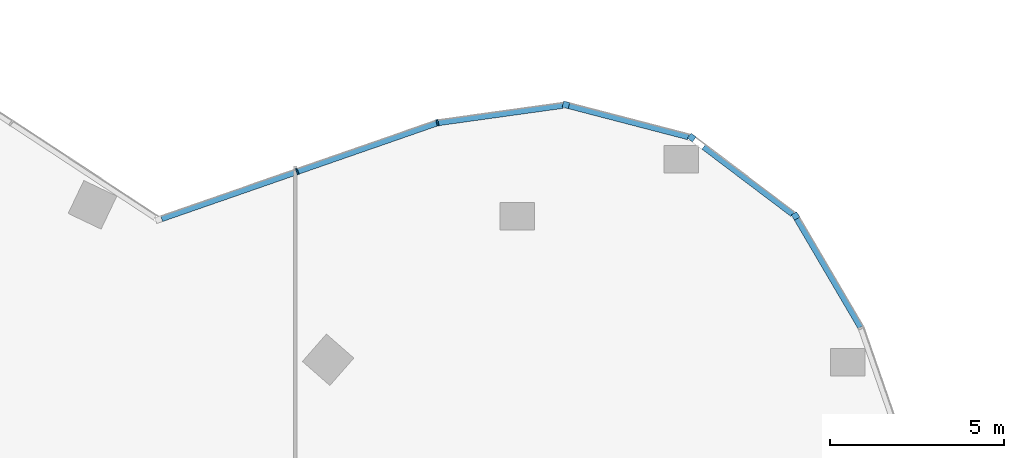
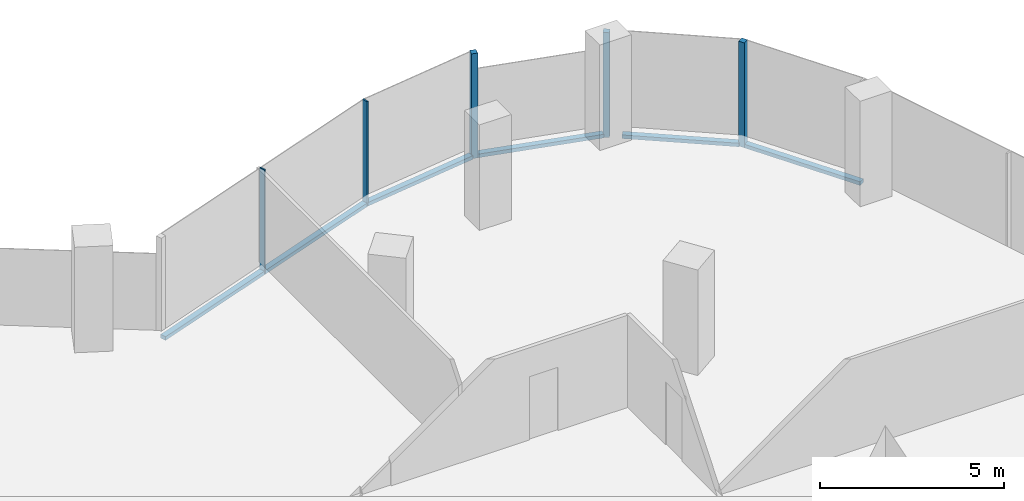
# One storey, part 11 of 24: 10 members, 5 elements without a shape of their own.
"""IFC4 building model written with IfcOpenShell, lengths in metres."""

from ifc_helpers import new_model, si_unit, direction, frame, origin, origin_2d, place, context, subcontext, project, spatial, rectangle, extrude, material, material_profile, profile_set, type_object, element, aggregate, save


model = new_model("IFC4")

# Units and contexts
model_context = context("Model", 3, precision=1e-05, world=origin(), true_north=direction((0.0, 1.0)))
body_context = subcontext(model_context, "Body", "Model", "MODEL_VIEW")
ifc_project = project(units=[si_unit("LENGTHUNIT", "METRE"), si_unit("AREAUNIT", "SQUARE_METRE"), si_unit("VOLUMEUNIT", "CUBIC_METRE"), si_unit("PLANEANGLEUNIT", "RADIAN"), si_unit("MASSUNIT", "GRAM", prefix="KILO")], contexts=[model_context])

# Site, building, storey
site_placement = place(None, origin())
site = spatial("IfcSite", under=ifc_project, at=site_placement, CompositionType="ELEMENT")
building_placement = place(site_placement, origin())
building = spatial("IfcBuilding", under=site, at=building_placement, Name="Orlundy Tower", CompositionType="ELEMENT")
storey_placement = place(building_placement, frame((0.0, 0.0, 246.0)))
storey = spatial("IfcBuildingStorey", under=building, at=storey_placement, Name="L65", CompositionType="ELEMENT", Elevation=246.0)

# Curtain wall, member
ifc_material_1 = material(Name="Aluminium bronze anodised", Category="aluminium")
curtain_wall_type = type_object("IfcCurtainWallType", Name="CW1 wall", PredefinedType="NOTDEFINED", material=ifc_material_1)
curtain_wall_1_placement = place(storey_placement, origin())
curtain_wall_1 = element("IfcCurtainWall", 1, at=curtain_wall_1_placement, inside=storey, type_object=curtain_wall_type, Name="CW1 run 020", PredefinedType="NOTDEFINED")
ifc_material_2 = material(Name="Aluminium bronze anodised", Category="aluminium")
ifc_material_profile_1 = material_profile(ifc_material_2, rectangle(XDim=0.179931640625, YDim=0.179931640625, at=origin_2d()), Name="CW1 corner post 180x180")
ifc_profile_set_1 = profile_set([ifc_material_profile_1], Name="Aluminium bronze anodised")
member_type_1 = type_object("IfcMemberType", Name="CW1 corner post 180x180", PredefinedType="MULLION", material=ifc_profile_set_1)
member_1_placement = place(storey_placement, frame((26.392333984375, 29.671630859375, -0.39990234375), z_axis=(0.0, 0.0, 1.0), x_axis=(0.251982569313, 0.967731773149, 0.0)))
member_1 = element("IfcMember", 2, at=member_1_placement, type_object=member_type_1, Name="CW1 mullion 42", PredefinedType="MULLION", context=body_context, shape_type="SweptSolid", body=[
    extrude(rectangle(XDim=0.179931640625, YDim=0.179931640625, at=origin_2d()), origin(), (0.0, 0.0, 1.0), 3.47998046875),
])

curtain_wall_2_placement = place(storey_placement, origin())
curtain_wall_2 = element("IfcCurtainWall", 3, at=curtain_wall_2_placement, inside=storey, type_object=curtain_wall_type, Name="CW1 run 021", PredefinedType="NOTDEFINED")
member_2_placement = place(storey_placement, frame((30.013916015625, 28.728515625, -0.39990234375), z_axis=(0.0, 0.0, 1.0), x_axis=(0.602974291826, 0.797760617853, 0.0)))
member_2 = element("IfcMember", 4, at=member_2_placement, type_object=member_type_1, Name="CW1 mullion 43", PredefinedType="MULLION", context=body_context, shape_type="SweptSolid", body=[
    extrude(rectangle(XDim=0.179931640625, YDim=0.179931640625, at=origin_2d()), origin(), (0.0, 0.0, 1.0), 3.47998046875),
])

curtain_wall_3_placement = place(storey_placement, origin())
curtain_wall_3 = element("IfcCurtainWall", 5, at=curtain_wall_3_placement, inside=storey, type_object=curtain_wall_type, Name="CW1 run 022", PredefinedType="NOTDEFINED")
member_3_placement = place(storey_placement, frame((32.99951171875, 26.471923828125, -0.39990234375), z_axis=(0.0, 0.0, 1.0), x_axis=(0.862287730604, 0.506418670322, 0.0)))
member_3 = element("IfcMember", 6, at=member_3_placement, type_object=member_type_1, Name="CW1 mullion 44", PredefinedType="MULLION", context=body_context, shape_type="SweptSolid", body=[
    extrude(rectangle(XDim=0.179931640625, YDim=0.179931640625, at=origin_2d()), origin(), (0.0, 0.0, 1.0), 3.47998046875),
])

curtain_wall_4_placement = place(storey_placement, origin())
curtain_wall_4 = element("IfcCurtainWall", 7, at=curtain_wall_4_placement, inside=storey, type_object=curtain_wall_type, Name="CW1 run 018", PredefinedType="NOTDEFINED")
ifc_material_3 = material(Name="Aluminium bronze anodised", Category="aluminium")
ifc_material_profile_2 = material_profile(ifc_material_3, rectangle(XDim=0.179931640625, YDim=0.050048828125, at=origin_2d()), Name="CW1 mullion 50x180")
ifc_profile_set_2 = profile_set([ifc_material_profile_2], Name="Aluminium bronze anodised")
member_type_2 = type_object("IfcMemberType", Name="CW1 mullion 50x180", PredefinedType="MULLION", material=ifc_profile_set_2)
member_4_placement = place(storey_placement, frame((18.656005859375, 27.75341796875, -0.39990234375), z_axis=(0.0, 0.0, 1.0), x_axis=(-0.328297862498, 0.94457424985, 0.0)))
member_4 = element("IfcMember", 8, at=member_4_placement, type_object=member_type_2, Name="CW1 mullion 40", PredefinedType="MULLION", context=body_context, shape_type="SweptSolid", body=[
    extrude(rectangle(XDim=0.179931640625, YDim=0.050048828125, at=origin_2d()), origin(), (0.0, 0.0, 1.0), 3.47998046875),
])

curtain_wall_5_placement = place(storey_placement, origin())
curtain_wall_5 = element("IfcCurtainWall", 9, at=curtain_wall_5_placement, inside=storey, type_object=curtain_wall_type, Name="CW1 run 019", PredefinedType="NOTDEFINED")
member_5_placement = place(storey_placement, frame((22.69384765625, 29.156982421875, -0.39990234375), z_axis=(0.0, 0.0, 1.0), x_axis=(-0.234191728403, 0.972190431113, 0.0)))
member_5 = element("IfcMember", 10, at=member_5_placement, type_object=member_type_2, Name="CW1 mullion 41", PredefinedType="MULLION", context=body_context, shape_type="SweptSolid", body=[
    extrude(rectangle(XDim=0.179931640625, YDim=0.050048828125, at=origin_2d()), origin(), (0.0, 0.0, 1.0), 3.47998046875),
])

# Member
ifc_material_4 = material(Name="Aluminium bronze anodised", Category="aluminium")
ifc_material_profile_3 = material_profile(ifc_material_4, rectangle(XDim=0.179931640625, YDim=0.1201171875, at=origin_2d()), Name="CW1 transom 180x120")
ifc_profile_set_3 = profile_set([ifc_material_profile_3], Name="Aluminium bronze anodised")
member_type_3 = type_object("IfcMemberType", Name="CW1 transom 180x120", PredefinedType="USERDEFINED", material=ifc_profile_set_3)
member_6_placement = place(storey_placement, frame((14.75341796875, 26.397216796875, -0.340087890625), z_axis=(0.944577721122, 0.328287874828, 0.0), x_axis=(-0.328287874828, 0.944577721122, 0.0)))
member_6 = element("IfcMember", 11, at=member_6_placement, type_object=member_type_3, Name="CW1 transom", ObjectType="TRANSOM", PredefinedType="USERDEFINED", context=body_context, shape_type="SweptSolid", body=[
    extrude(rectangle(XDim=0.179931640625, YDim=0.1201171875, at=origin_2d()), origin(), (0.0, 0.0, 1.0), 8.38134765625),
])

aggregate(curtain_wall_4, [member_4, member_6])

member_7_placement = place(storey_placement, frame((22.71875, 29.160400390625, -0.340087890625), z_axis=(0.990455393576, 0.137833643701, 0.0), x_axis=(-0.137833643701, 0.990455393576, 0.0)))
member_7 = element("IfcMember", 12, at=member_7_placement, type_object=member_type_3, Name="CW1 transom", ObjectType="TRANSOM", PredefinedType="USERDEFINED", context=body_context, shape_type="SweptSolid", body=[
    extrude(rectangle(XDim=0.179931640625, YDim=0.1201171875, at=origin_2d()), origin(), (0.0, 0.0, 1.0), 3.611572265625),
])

aggregate(curtain_wall_5, [member_5, member_7])

member_8_placement = place(storey_placement, frame((26.4794921875, 29.64892578125, -0.340087890625), z_axis=(0.967733131764, -0.251977351532, 0.0), x_axis=(0.251977351532, 0.967733131764, 0.0)))
member_8 = element("IfcMember", 13, at=member_8_placement, type_object=member_type_3, Name="CW1 transom", ObjectType="TRANSOM", PredefinedType="USERDEFINED", context=body_context, shape_type="SweptSolid", body=[
    extrude(rectangle(XDim=0.179931640625, YDim=0.1201171875, at=origin_2d()), origin(), (0.0, 0.0, 1.0), 3.554931640625),
])

aggregate(curtain_wall_1, [member_1, member_8])

member_9_placement = place(storey_placement, frame((30.362060546875, 28.465576171875, -0.340087890625), z_axis=(0.797757523546, -0.602978385704, 0.0), x_axis=(0.602978385704, 0.797757523546, 0.0)))
member_9 = element("IfcMember", 14, at=member_9_placement, type_object=member_type_3, Name="CW1 transom", ObjectType="TRANSOM", PredefinedType="USERDEFINED", context=body_context, shape_type="SweptSolid", body=[
    extrude(rectangle(XDim=0.179931640625, YDim=0.1201171875, at=origin_2d()), origin(), (0.0, 0.0, 1.0), 3.208740234375),
])

aggregate(curtain_wall_2, [member_2, member_9])

member_10_placement = place(storey_placement, frame((33.045166015625, 26.394287109375, -0.340087890625), z_axis=(0.506444950647, -0.862272295719, 0.0), x_axis=(0.862272295719, 0.506444950647, 0.0)))
member_10 = element("IfcMember", 15, at=member_10_placement, type_object=member_type_3, Name="CW1 transom", ObjectType="TRANSOM", PredefinedType="USERDEFINED", context=body_context, shape_type="SweptSolid", body=[
    extrude(rectangle(XDim=0.179931640625, YDim=0.1201171875, at=origin_2d()), origin(), (0.0, 0.0, 1.0), 3.617919921875),
])

aggregate(curtain_wall_3, [member_3, member_10])

save(model, "model.ifc")
